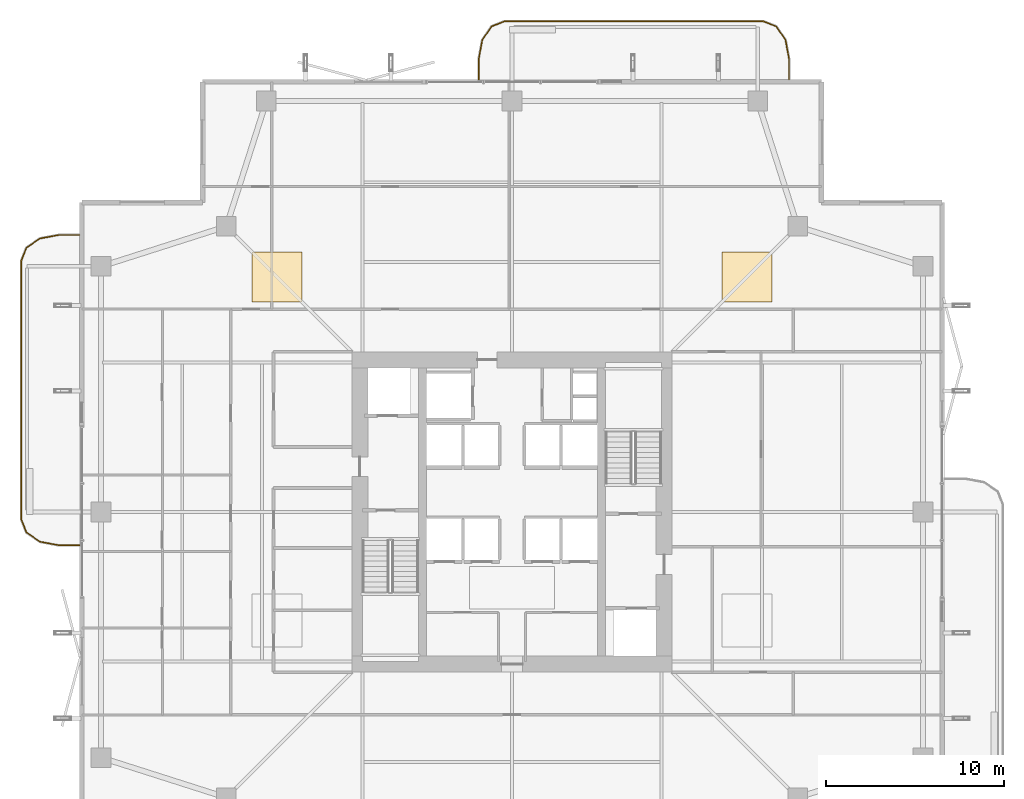
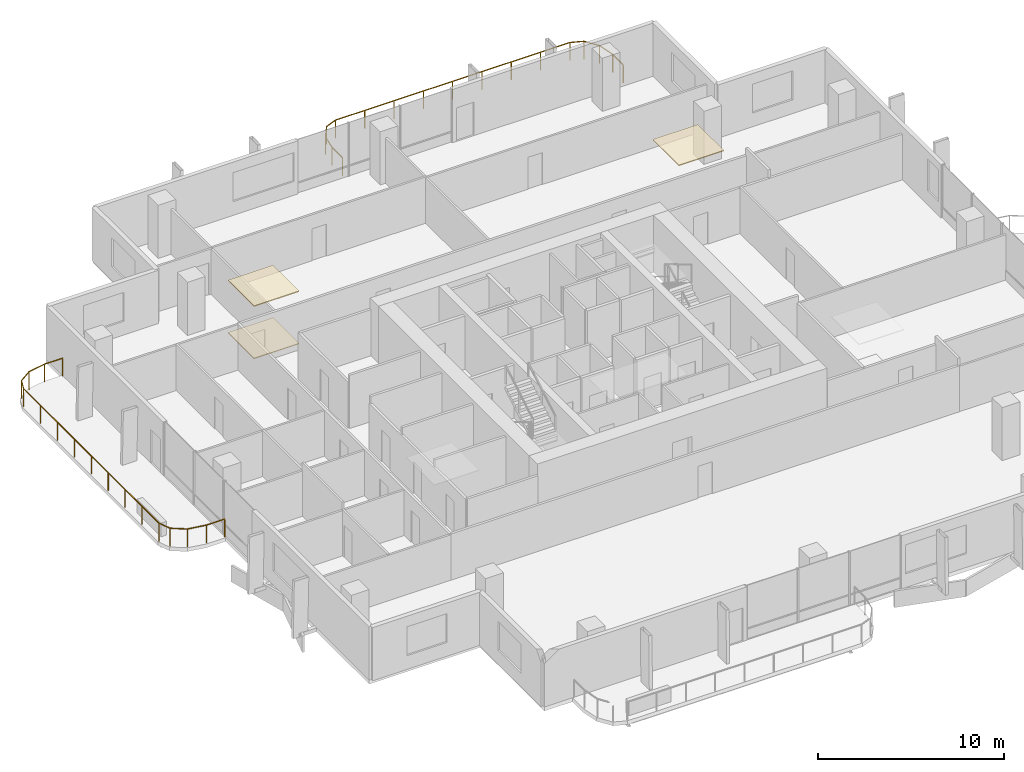
# One storey, part 25 of 25: 3 coverings, 2 railings.
"""IFC4 building model written with IfcOpenShell, lengths in metres."""

from ifc_helpers import new_model, si_unit, direction, frame, origin, origin_2d, place, context, subcontext, project, spatial, polyline, rectangle, outline, extrude, material, layer, layer_set, type_object, element, save


model = new_model("IFC4")

# Units and contexts
model_context = context("Model", 3, precision=1e-05, world=origin(), true_north=direction((0.0, 1.0)))
body_context = subcontext(model_context, "Body", "Model", "MODEL_VIEW")
ifc_project = project(units=[si_unit("LENGTHUNIT", "METRE"), si_unit("AREAUNIT", "SQUARE_METRE"), si_unit("VOLUMEUNIT", "CUBIC_METRE"), si_unit("PLANEANGLEUNIT", "RADIAN"), si_unit("MASSUNIT", "GRAM", prefix="KILO")], contexts=[model_context])

# Site, building, storey
site_placement = place(None, origin())
site = spatial("IfcSite", under=ifc_project, at=site_placement, CompositionType="ELEMENT")
building_placement = place(site_placement, origin())
building = spatial("IfcBuilding", under=site, at=building_placement, Name="Belovzor Exchange Tower", CompositionType="ELEMENT")
storey_placement = place(building_placement, frame((0.0, 0.0, 172.050048828125)))
storey = spatial("IfcBuildingStorey", under=building, at=storey_placement, Name="L42", CompositionType="ELEMENT", Elevation=172.050048828125)

# Railings
ifc_material_1 = material(Name="Stainless Steel and Laminated Safety Glass", Category="steel")
railing_type = type_object("IfcRailingType", Name="Laminated Glass & Stainless Steel Balcony Balustrade 1200", PredefinedType="BALUSTRADE", material=ifc_material_1)
railing_1_placement = place(storey_placement, frame((44.3701171875, 53.110107421875, 0.0)))
element("IfcRailing", 1, at=railing_1_placement, inside=storey, type_object=railing_type, Name="GR-1 Balcony Balustrade L42 North", PredefinedType="BALUSTRADE", context=body_context, shape_type="SweptSolid", body=[
    extrude(rectangle(XDim=0.048095703125, YDim=0.048095703125, at=origin_2d()), frame((0.0, 0.0, 1.17578125), z_axis=(0.0, 1.0, 0.0), x_axis=(-1.0, 0.0, 0.0)), (0.0, 0.0, 1.0), 1.1328125),
    extrude(rectangle(XDim=0.048095703125, YDim=0.048095703125, at=origin_2d()), frame((0.0, 1.1328125, 1.17578125), z_axis=(-0.180083182347, 0.983651385113, 0.0), x_axis=(-0.983651385113, -0.180083182347, 0.0)), (0.0, 0.0, 1.0), 1.093994140625),
    extrude(rectangle(XDim=0.048095703125, YDim=0.048095703125, at=origin_2d()), frame((-0.197021484375, 2.208984375, 1.17578125), z_axis=(-0.56294695933, 0.826493025367, 0.0), x_axis=(-0.826493025367, -0.56294695933, 0.0)), (0.0, 0.0, 1.0), 0.932861328125),
    extrude(rectangle(XDim=0.048095703125, YDim=0.048095703125, at=origin_2d()), frame((-0.72216796875, 2.97998046875, 1.17578125), z_axis=(-0.930766990125, 0.365612923861, 0.0), x_axis=(-0.365612923861, -0.930766990125, 0.0)), (0.0, 0.0, 1.0), 0.765869140625),
    extrude(rectangle(XDim=0.048095703125, YDim=0.048095703125, at=origin_2d()), frame((-1.43505859375, 3.260009765625, 1.17578125), z_axis=(-1.0, 0.0, 0.0), x_axis=(0.0, -1.0, 0.0)), (0.0, 0.0, 1.0), 14.570068359375),
    extrude(rectangle(XDim=0.048095703125, YDim=0.048095703125, at=origin_2d()), frame((-16.005126953125, 3.260009765625, 1.17578125), z_axis=(-0.930766990125, -0.365612923861, 0.0), x_axis=(0.365612923861, -0.930766990125, 0.0)), (0.0, 0.0, 1.0), 0.765869140625),
    extrude(rectangle(XDim=0.048095703125, YDim=0.048095703125, at=origin_2d()), frame((-16.718017578125, 2.97998046875, 1.17578125), z_axis=(-0.56294695933, -0.826493025367, 0.0), x_axis=(0.826493025367, -0.56294695933, 0.0)), (0.0, 0.0, 1.0), 0.932861328125),
    extrude(rectangle(XDim=0.048095703125, YDim=0.048095703125, at=origin_2d()), frame((-17.2431640625, 2.208984375, 1.17578125), z_axis=(-0.180083182347, -0.983651385113, 0.0), x_axis=(0.983651385113, -0.180083182347, 0.0)), (0.0, 0.0, 1.0), 1.093994140625),
    extrude(rectangle(XDim=0.048095703125, YDim=0.048095703125, at=origin_2d()), frame((-17.440185546875, 1.1328125, 1.17578125), z_axis=(0.0, -1.0, 0.0), x_axis=(1.0, 0.0, 0.0)), (0.0, 0.0, 1.0), 1.1328125),
    extrude(rectangle(XDim=0.0419921875, YDim=0.0419921875, at=origin_2d()), origin(), (0.0, 0.0, 1.0), 1.15185546875),
    extrude(rectangle(XDim=0.0419921875, YDim=0.0419921875, at=origin_2d()), frame((0.0, 1.1328125, 0.0)), (0.0, 0.0, 1.0), 1.15185546875),
    extrude(rectangle(XDim=0.0419921875, YDim=0.0419921875, at=origin_2d()), frame((-0.197021484375, 2.208984375, 0.0)), (0.0, 0.0, 1.0), 1.15185546875),
    extrude(rectangle(XDim=0.0419921875, YDim=0.0419921875, at=origin_2d()), frame((-0.72216796875, 2.97998046875, 0.0)), (0.0, 0.0, 1.0), 1.15185546875),
    extrude(rectangle(XDim=0.0419921875, YDim=0.0419921875, at=origin_2d()), frame((-1.43505859375, 3.260009765625, 0.0)), (0.0, 0.0, 1.0), 1.15185546875),
    extrude(rectangle(XDim=0.0419921875, YDim=0.0419921875, at=origin_2d()), frame((-3.25634765625, 3.260009765625, 0.0)), (0.0, 0.0, 1.0), 1.15185546875),
    extrude(rectangle(XDim=0.0419921875, YDim=0.0419921875, at=origin_2d()), frame((-5.07763671875, 3.260009765625, 0.0)), (0.0, 0.0, 1.0), 1.15185546875),
    extrude(rectangle(XDim=0.0419921875, YDim=0.0419921875, at=origin_2d()), frame((-6.89892578125, 3.260009765625, 0.0)), (0.0, 0.0, 1.0), 1.15185546875),
    extrude(rectangle(XDim=0.0419921875, YDim=0.0419921875, at=origin_2d()), frame((-8.72021484375, 3.260009765625, 0.0)), (0.0, 0.0, 1.0), 1.15185546875),
    extrude(rectangle(XDim=0.0419921875, YDim=0.0419921875, at=origin_2d()), frame((-10.541259765625, 3.260009765625, 0.0)), (0.0, 0.0, 1.0), 1.15185546875),
    extrude(rectangle(XDim=0.0419921875, YDim=0.0419921875, at=origin_2d()), frame((-12.362548828125, 3.260009765625, 0.0)), (0.0, 0.0, 1.0), 1.15185546875),
    extrude(rectangle(XDim=0.0419921875, YDim=0.0419921875, at=origin_2d()), frame((-14.183837890625, 3.260009765625, 0.0)), (0.0, 0.0, 1.0), 1.15185546875),
    extrude(rectangle(XDim=0.0419921875, YDim=0.0419921875, at=origin_2d()), frame((-16.005126953125, 3.260009765625, 0.0)), (0.0, 0.0, 1.0), 1.15185546875),
    extrude(rectangle(XDim=0.0419921875, YDim=0.0419921875, at=origin_2d()), frame((-16.718017578125, 2.97998046875, 0.0)), (0.0, 0.0, 1.0), 1.15185546875),
    extrude(rectangle(XDim=0.0419921875, YDim=0.0419921875, at=origin_2d()), frame((-17.2431640625, 2.208984375, 0.0)), (0.0, 0.0, 1.0), 1.15185546875),
    extrude(rectangle(XDim=0.0419921875, YDim=0.0419921875, at=origin_2d()), frame((-17.440185546875, 1.1328125, 0.0)), (0.0, 0.0, 1.0), 1.15185546875),
    extrude(rectangle(XDim=0.0419921875, YDim=0.0419921875, at=origin_2d()), frame((-17.440185546875, 0.0, 0.0)), (0.0, 0.0, 1.0), 1.15185546875),
])
railing_2_placement = place(storey_placement, frame((4.489990234375, 44.3701171875, 0.0)))
element("IfcRailing", 2, at=railing_2_placement, inside=storey, type_object=railing_type, Name="GR-1 Balcony Balustrade L42 West", PredefinedType="BALUSTRADE", context=body_context, shape_type="SweptSolid", body=[
    extrude(rectangle(XDim=0.048095703125, YDim=0.048095703125, at=origin_2d()), frame((0.0, 0.0, 1.17578125), z_axis=(-1.0, 0.0, 0.0), x_axis=(0.0, -1.0, 0.0)), (0.0, 0.0, 1.0), 1.133056640625),
    extrude(rectangle(XDim=0.048095703125, YDim=0.048095703125, at=origin_2d()), frame((-1.133056640625, 0.0, 1.17578125), z_axis=(-0.983644145941, -0.180122719713, 0.0), x_axis=(0.180122719713, -0.983644145941, 0.0)), (0.0, 0.0, 1.0), 1.09375),
    extrude(rectangle(XDim=0.048095703125, YDim=0.048095703125, at=origin_2d()), frame((-2.208984375, -0.197021484375, 1.17578125), z_axis=(-0.826493025367, -0.56294695933, 0.0), x_axis=(0.56294695933, -0.826493025367, 0.0)), (0.0, 0.0, 1.0), 0.932861328125),
    extrude(rectangle(XDim=0.048095703125, YDim=0.048095703125, at=origin_2d()), frame((-2.97998046875, -0.72216796875, 1.17578125), z_axis=(-0.365612923861, -0.930766990125, 0.0), x_axis=(0.930766990125, -0.365612923861, 0.0)), (0.0, 0.0, 1.0), 0.765869140625),
    extrude(rectangle(XDim=0.048095703125, YDim=0.048095703125, at=origin_2d()), frame((-3.260009765625, -1.43505859375, 1.17578125), z_axis=(0.0, -1.0, 0.0), x_axis=(1.0, 0.0, 0.0)), (0.0, 0.0, 1.0), 14.570068359375),
    extrude(rectangle(XDim=0.048095703125, YDim=0.048095703125, at=origin_2d()), frame((-3.260009765625, -16.005126953125, 1.17578125), z_axis=(0.365612923861, -0.930766990125, 0.0), x_axis=(0.930766990125, 0.365612923861, 0.0)), (0.0, 0.0, 1.0), 0.765869140625),
    extrude(rectangle(XDim=0.048095703125, YDim=0.048095703125, at=origin_2d()), frame((-2.97998046875, -16.718017578125, 1.17578125), z_axis=(0.826493025367, -0.56294695933, 0.0), x_axis=(0.56294695933, 0.826493025367, 0.0)), (0.0, 0.0, 1.0), 0.932861328125),
    extrude(rectangle(XDim=0.048095703125, YDim=0.048095703125, at=origin_2d()), frame((-2.208984375, -17.2431640625, 1.17578125), z_axis=(0.983644145941, -0.180122719713, 0.0), x_axis=(0.180122719713, 0.983644145941, 0.0)), (0.0, 0.0, 1.0), 1.09375),
    extrude(rectangle(XDim=0.048095703125, YDim=0.048095703125, at=origin_2d()), frame((-1.133056640625, -17.440185546875, 1.17578125), z_axis=(1.0, 0.0, 0.0), x_axis=(0.0, 1.0, 0.0)), (0.0, 0.0, 1.0), 1.133056640625),
    extrude(rectangle(XDim=0.0419921875, YDim=0.0419921875, at=origin_2d()), origin(), (0.0, 0.0, 1.0), 1.15185546875),
    extrude(rectangle(XDim=0.0419921875, YDim=0.0419921875, at=origin_2d()), frame((-1.133056640625, 0.0, 0.0)), (0.0, 0.0, 1.0), 1.15185546875),
    extrude(rectangle(XDim=0.0419921875, YDim=0.0419921875, at=origin_2d()), frame((-2.208984375, -0.197021484375, 0.0)), (0.0, 0.0, 1.0), 1.15185546875),
    extrude(rectangle(XDim=0.0419921875, YDim=0.0419921875, at=origin_2d()), frame((-2.97998046875, -0.72216796875, 0.0)), (0.0, 0.0, 1.0), 1.15185546875),
    extrude(rectangle(XDim=0.0419921875, YDim=0.0419921875, at=origin_2d()), frame((-3.260009765625, -1.43505859375, 0.0)), (0.0, 0.0, 1.0), 1.15185546875),
    extrude(rectangle(XDim=0.0419921875, YDim=0.0419921875, at=origin_2d()), frame((-3.260009765625, -3.25634765625, 0.0)), (0.0, 0.0, 1.0), 1.15185546875),
    extrude(rectangle(XDim=0.0419921875, YDim=0.0419921875, at=origin_2d()), frame((-3.260009765625, -5.07763671875, 0.0)), (0.0, 0.0, 1.0), 1.15185546875),
    extrude(rectangle(XDim=0.0419921875, YDim=0.0419921875, at=origin_2d()), frame((-3.260009765625, -6.89892578125, 0.0)), (0.0, 0.0, 1.0), 1.15185546875),
    extrude(rectangle(XDim=0.0419921875, YDim=0.0419921875, at=origin_2d()), frame((-3.260009765625, -8.72021484375, 0.0)), (0.0, 0.0, 1.0), 1.15185546875),
    extrude(rectangle(XDim=0.0419921875, YDim=0.0419921875, at=origin_2d()), frame((-3.260009765625, -10.541259765625, 0.0)), (0.0, 0.0, 1.0), 1.15185546875),
    extrude(rectangle(XDim=0.0419921875, YDim=0.0419921875, at=origin_2d()), frame((-3.260009765625, -12.362548828125, 0.0)), (0.0, 0.0, 1.0), 1.15185546875),
    extrude(rectangle(XDim=0.0419921875, YDim=0.0419921875, at=origin_2d()), frame((-3.260009765625, -14.183837890625, 0.0)), (0.0, 0.0, 1.0), 1.15185546875),
    extrude(rectangle(XDim=0.0419921875, YDim=0.0419921875, at=origin_2d()), frame((-3.260009765625, -16.005126953125, 0.0)), (0.0, 0.0, 1.0), 1.15185546875),
    extrude(rectangle(XDim=0.0419921875, YDim=0.0419921875, at=origin_2d()), frame((-2.97998046875, -16.718017578125, 0.0)), (0.0, 0.0, 1.0), 1.15185546875),
    extrude(rectangle(XDim=0.0419921875, YDim=0.0419921875, at=origin_2d()), frame((-2.208984375, -17.2431640625, 0.0)), (0.0, 0.0, 1.0), 1.15185546875),
    extrude(rectangle(XDim=0.0419921875, YDim=0.0419921875, at=origin_2d()), frame((-1.133056640625, -17.440185546875, 0.0)), (0.0, 0.0, 1.0), 1.15185546875),
    extrude(rectangle(XDim=0.0419921875, YDim=0.0419921875, at=origin_2d()), frame((0.0, -17.440185546875, 0.0)), (0.0, 0.0, 1.0), 1.15185546875),
])

# Coverings
ifc_material_2 = material(Name="Perforated Powder-Coated Aluminium", Category="aluminium")
ifc_layer_1 = layer(ifc_material_2, 0.06005859375)
ifc_layer_set_1 = layer_set([ifc_layer_1], Name="Perforated Powder-Coated Aluminium")
covering_type_1 = type_object("IfcCoveringType", Name="Perforated Acoustic Metal Tile Suspended Ceiling 60", PredefinedType="CEILING", material=ifc_layer_set_1)
covering_1_placement = place(storey_placement, frame((0.0, 0.0, 3.43505859375)))
element("IfcCovering", 3, at=covering_1_placement, inside=storey, type_object=covering_type_1, Name="CLG-AC60 Suspended Ceiling CLG-L42-Z1", PredefinedType="CEILING", context=body_context, shape_type="SweptSolid", body=[
    extrude(outline(polyline([(40.60009765625, 40.60009765625), (43.39990234375, 40.60009765625), (43.39990234375, 43.39990234375), (40.60009765625, 43.39990234375), (40.60009765625, 40.60009765625)])), origin(), (0.0, 0.0, 1.0), 0.059814453125),
])
covering_2_placement = place(storey_placement, frame((0.0, 0.0, 3.43505859375)))
element("IfcCovering", 4, at=covering_2_placement, inside=storey, type_object=covering_type_1, Name="CLG-AC60 Suspended Ceiling CLG-L42-Z2", PredefinedType="CEILING", context=body_context, shape_type="SweptSolid", body=[
    extrude(outline(polyline([(14.199951171875, 40.60009765625), (17.0, 40.60009765625), (17.0, 43.39990234375), (14.199951171875, 43.39990234375), (14.199951171875, 40.60009765625)])), origin(), (0.0, 0.0, 1.0), 0.059814453125),
])
ifc_material_3 = material(Name="Polished Natural Granite Tile", Category="masonry")
ifc_layer_2 = layer(ifc_material_3, 0.050048828125)
ifc_layer_set_2 = layer_set([ifc_layer_2], Name="Polished Natural Granite Tile")
covering_type_2 = type_object("IfcCoveringType", Name="Polished Karelian Granite & Raised Access Floor Finish 50", PredefinedType="FLOORING", material=ifc_layer_set_2)
covering_3_placement = place(storey_placement, origin())
element("IfcCovering", 5, at=covering_3_placement, inside=storey, type_object=covering_type_2, Name="FLR-GR50 Floor Finish FLR-L42-Z2", PredefinedType="FLOORING", context=body_context, shape_type="SweptSolid", body=[
    extrude(outline(polyline([(14.199951171875, 40.60009765625), (17.0, 40.60009765625), (17.0, 43.39990234375), (14.199951171875, 43.39990234375), (14.199951171875, 40.60009765625)])), origin(), (0.0, 0.0, 1.0), 0.050048828125),
])

save(model, "model.ifc")
